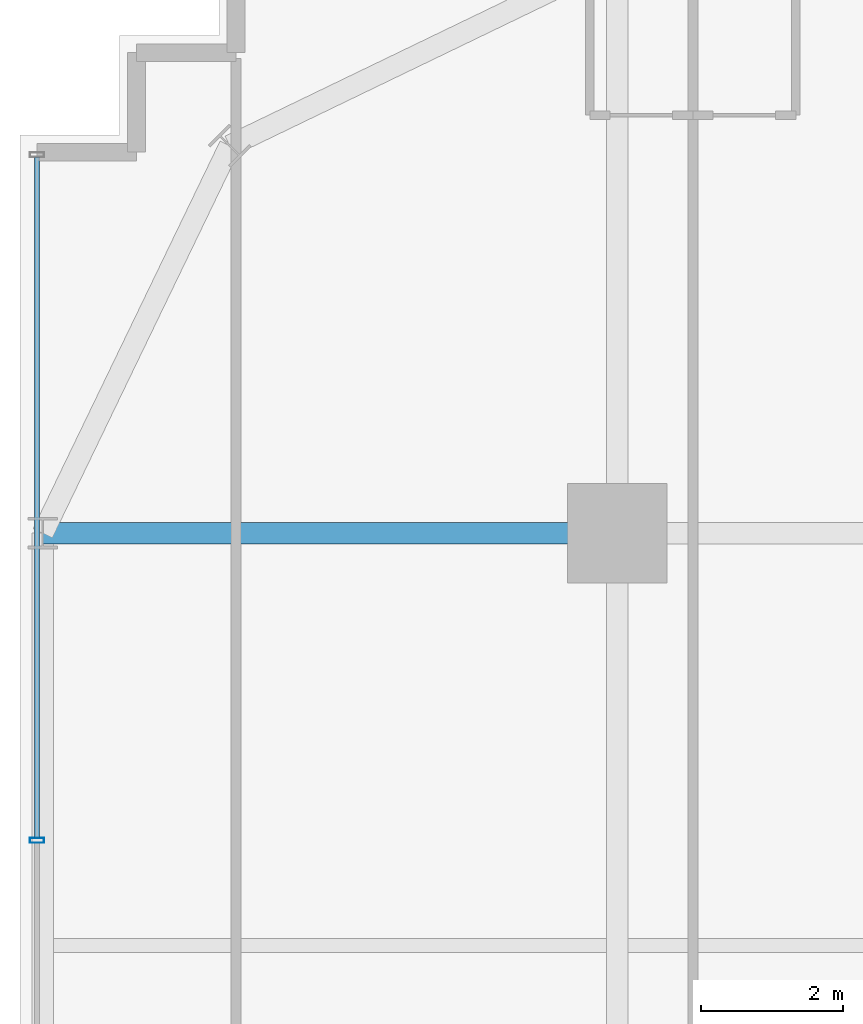
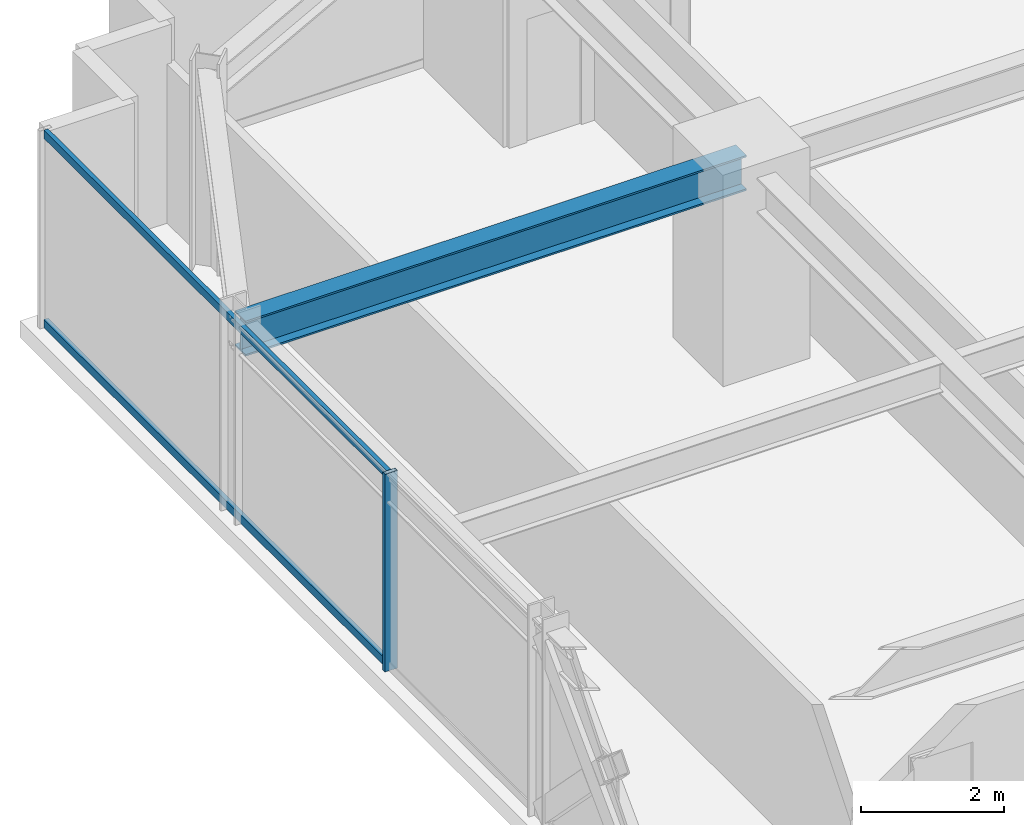
# One storey, part 19 of 35: 3 members, 1 beam, 1 element without a shape of its own.
"""IFC4 building model written with IfcOpenShell, lengths in metres."""

from ifc_helpers import new_model, si_unit, direction, frame, origin, origin_2d, place, context, subcontext, project, spatial, hollow_rectangle, i_section, extrude, source, transform, mapped, material, material_profile, profile_set, type_object, element, aggregate, save


model = new_model("IFC4")

# Units and contexts
model_context = context("Model", 3, precision=1e-05, world=origin(), true_north=direction((0.0, 1.0)))
body_context = subcontext(model_context, "Body", "Model", "MODEL_VIEW")
ifc_project = project(units=[si_unit("LENGTHUNIT", "METRE"), si_unit("AREAUNIT", "SQUARE_METRE"), si_unit("VOLUMEUNIT", "CUBIC_METRE"), si_unit("PLANEANGLEUNIT", "RADIAN"), si_unit("MASSUNIT", "GRAM", prefix="KILO")], contexts=[model_context])

# Site, building, storey
site_placement = place(None, origin())
site = spatial("IfcSite", under=ifc_project, at=site_placement, CompositionType="ELEMENT")
building_placement = place(site_placement, origin())
building = spatial("IfcBuilding", under=site, at=building_placement, Name="Nahalor Promenade Grand Hotel", CompositionType="ELEMENT")
storey_placement = place(building_placement, frame((0.0, 0.0, 43.35009765625)))
storey = spatial("IfcBuildingStorey", under=building, at=storey_placement, Name="L09", CompositionType="ELEMENT", Elevation=43.35009765625)

# Beam
ifc_material_1 = material(Name="Steel S355JR", Category="steel")
ifc_material_profile_1 = material_profile(ifc_material_1, i_section(OverallWidth=0.3, OverallDepth=0.6, WebThickness=0.0155, FlangeThickness=0.03, at=origin_2d()), Name="HEB 600")
ifc_profile_set_1 = profile_set([ifc_material_profile_1], Name="Steel S355JR")
beam_type = type_object("IfcBeamType", Name="Beam-Girder-HEB600", PredefinedType="BEAM", material=ifc_profile_set_1)
shared_shape_1 = source(origin(), body_context, "Body", "SweptSolid", [
    extrude(i_section(OverallWidth=0.3, OverallDepth=0.6, WebThickness=0.0155, FlangeThickness=0.03, at=origin_2d()), origin(), (0.0, 0.0, 1.0), 8.080078125),
])
beam_placement = place(storey_placement, frame((-25.080078125, 17.0, 3.06982421875), z_axis=(1.0, 0.0, 0.0), x_axis=(0.0, 1.0, 0.0)))
element("IfcBeam", 1, at=beam_placement, inside=storey, type_object=beam_type, Name="BM-L09-GX-3-0", PredefinedType="BEAM", context=body_context, shape_type="MappedRepresentation", body=[
    mapped(shared_shape_1, transform((0.0, 0.0, 0.0), scale=1.0)),
])

# Curtain wall, members
ifc_material_2 = material(Name="Anodised Bronze Aluminium EN AW-6063 T6", Category="aluminium")
curtain_wall_type = type_object("IfcCurtainWallType", Name="CW3 Elliptical-Void Collar Unitised Curtain Wall", PredefinedType="USERDEFINED", material=ifc_material_2)
curtain_wall_placement = place(storey_placement, origin())
curtain_wall = element("IfcCurtainWall", 2, at=curtain_wall_placement, inside=storey, type_object=curtain_wall_type, Name="L09 Curtain Wall CW-L09-W-2", ObjectType="UNITISED_CURTAIN_WALL", PredefinedType="USERDEFINED")
ifc_material_profile_2 = material_profile(ifc_material_2, hollow_rectangle(XDim=0.07, YDim=0.2, WallThickness=0.005, at=origin_2d()), Name="CWM 70x200x5")
ifc_profile_set_2 = profile_set([ifc_material_profile_2], Name="Anodised Bronze Aluminium EN AW-6063 T6")
member_type_1 = type_object("IfcMemberType", Name="CWM3 Void Collar Mullion 70x200", PredefinedType="MULLION", material=ifc_profile_set_2)
shared_shape_2 = source(origin(), body_context, "Body", "SweptSolid", [
    extrude(hollow_rectangle(XDim=0.07, YDim=0.2, WallThickness=0.005, at=origin_2d()), origin(), (0.0, 0.0, 1.0), 3.369873046875),
])
member_1_placement = place(storey_placement, frame((-25.159912109375, 12.679443359375, 0.0), z_axis=(0.0, 0.0, 1.0), x_axis=(0.0, 1.0, 0.0)))
member_1 = element("IfcMember", 3, at=member_1_placement, type_object=member_type_1, Name="CW-L09-W-2 Mullion 1", PredefinedType="MULLION", context=body_context, shape_type="MappedRepresentation", body=[
    mapped(shared_shape_2, transform((0.0, 0.0, 0.0), scale=1.0)),
])
ifc_material_profile_3 = material_profile(ifc_material_2, hollow_rectangle(XDim=0.07, YDim=0.14, WallThickness=0.004, at=origin_2d()), Name="CWT 70x140x4")
ifc_profile_set_3 = profile_set([ifc_material_profile_3], Name="Anodised Bronze Aluminium EN AW-6063 T6")
member_type_2 = type_object("IfcMemberType", Name="CWT3 Void Collar Transom 70x140", PredefinedType="USERDEFINED", material=ifc_profile_set_3)
shared_shape_3 = source(origin(), body_context, "Body", "SweptSolid", [
    extrude(hollow_rectangle(XDim=0.07, YDim=0.14, WallThickness=0.004, at=origin_2d()), origin(), (0.0, 0.0, 1.0), 9.575439453125),
])
member_2_placement = place(storey_placement, frame((-25.159912109375, 12.714599609375, 0.06982421875), z_axis=(0.0, 1.0, 0.0), x_axis=(-1.0, 0.0, 0.0)))
member_2 = element("IfcMember", 4, at=member_2_placement, type_object=member_type_2, Name="CW-L09-W-2 Transom 1-0", ObjectType="TRANSOM", PredefinedType="USERDEFINED", context=body_context, shape_type="MappedRepresentation", body=[
    mapped(shared_shape_3, transform((0.0, 0.0, 0.0), scale=1.0)),
])
member_3_placement = place(storey_placement, frame((-25.159912109375, 12.714599609375, 3.2998046875), z_axis=(0.0, 1.0, 0.0), x_axis=(-1.0, 0.0, 0.0)))
member_3 = element("IfcMember", 5, at=member_3_placement, type_object=member_type_2, Name="CW-L09-W-2 Transom 1-1", ObjectType="TRANSOM", PredefinedType="USERDEFINED", context=body_context, shape_type="MappedRepresentation", body=[
    mapped(shared_shape_3, transform((0.0, 0.0, 0.0), scale=1.0)),
])
aggregate(curtain_wall, [member_1, member_2, member_3])

save(model, "model.ifc")
